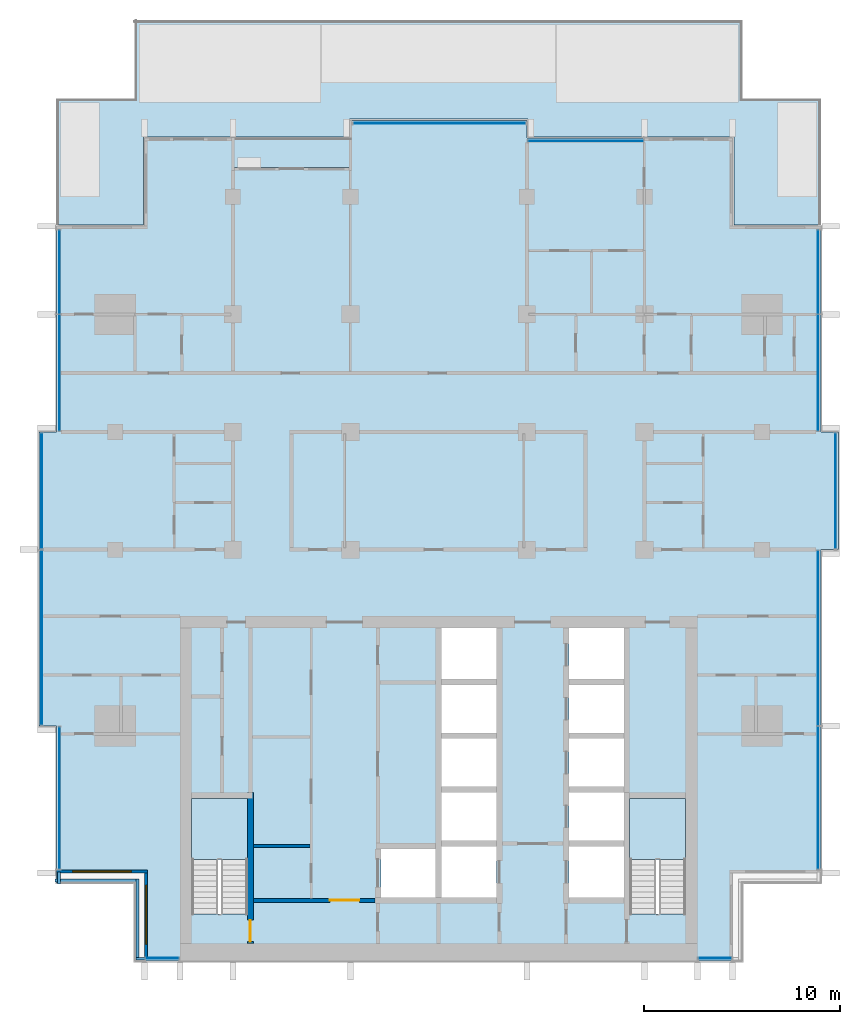
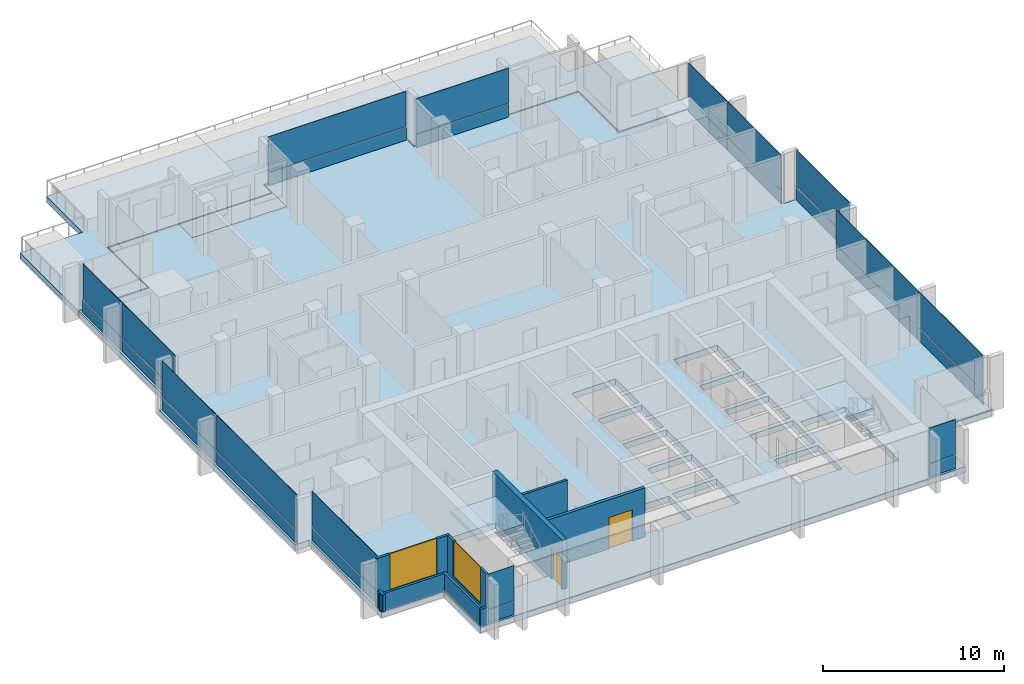
# One storey, part 6 of 17: 28 plates, 9 walls, 5 slabs, 2 doors, 2 windows, 4 openings, 13 elements without a shape of their own.
"""IFC4 building model written with IfcOpenShell, lengths in metres."""

from ifc_helpers import new_model, si_unit, direction, frame, frame_2d, origin, origin_2d, place, context, subcontext, project, spatial, polyline, rectangle, outline, extrude, material, layer, layer_set, type_object, element, fill, aggregate, save


model = new_model("IFC4")

# Units and contexts
model_context = context("Model", 3, precision=1e-05, world=origin(), true_north=direction((0.0, 1.0)))
body_context = subcontext(model_context, "Body", "Model", "MODEL_VIEW")
ifc_project = project(units=[si_unit("LENGTHUNIT", "METRE"), si_unit("AREAUNIT", "SQUARE_METRE"), si_unit("VOLUMEUNIT", "CUBIC_METRE"), si_unit("PLANEANGLEUNIT", "RADIAN"), si_unit("MASSUNIT", "GRAM", prefix="KILO")], contexts=[model_context])

# Site, building, storey
site_placement = place(None, origin())
site = spatial("IfcSite", under=ifc_project, at=site_placement, CompositionType="ELEMENT")
building_placement = place(site_placement, origin())
building = spatial("IfcBuilding", under=site, at=building_placement, Name="Finial Court Residences", CompositionType="ELEMENT")
storey_placement = place(building_placement, frame((0.0, 0.0, 205.10009765625)))
storey = spatial("IfcBuildingStorey", under=building, at=storey_placement, Name="L51", CompositionType="ELEMENT", Elevation=205.10009765625)

# Slab
ifc_material_1 = material(Name="Concrete C35/45", Category="concrete")
ifc_layer_1 = layer(ifc_material_1, 0.199951171875)
ifc_layer_set_1 = layer_set([ifc_layer_1], Name="Balcony slab, Concrete C35/45 200")
slab_type_1 = type_object("IfcSlabType", Name="Balcony slab, Concrete C35/45 200", PredefinedType="FLOOR", material=ifc_layer_set_1)
slab_1_placement = place(storey_placement, frame((0.0, 0.0, -0.2001953125)))
element("IfcSlab", 1, at=slab_1_placement, inside=storey, type_object=slab_type_1, Name="Balcony L51-N2", PredefinedType="FLOOR", context=body_context, shape_type="SweptSolid", body=[
    extrude(outline(polyline([(-4.5, 15.0), (-4.5, 16.5), (-10.5, 16.5), (-10.5, 15.0), (-4.5, 15.0)])), origin(), (0.0, 0.0, 1.0), 0.2001953125),
])

# Curtain wall, plate
ifc_material_2 = material(Name="Bronze anodised aluminium", Category="aluminium")
curtain_wall_type = type_object("IfcCurtainWallType", Name="Unitised curtain wall, upper zones", PredefinedType="NOTDEFINED", material=ifc_material_2)
curtain_wall_1_placement = place(storey_placement, origin())
curtain_wall_1 = element("IfcCurtainWall", 2, at=curtain_wall_1_placement, inside=storey, type_object=curtain_wall_type, Name="E-L51-CW-N1", PredefinedType="NOTDEFINED")
ifc_layer_2 = layer(ifc_material_2, 0.035888671875)
ifc_layer_set_2 = layer_set([ifc_layer_2], Name="CW2 spandrel panel 36")
plate_type_1 = type_object("IfcPlateType", Name="CW2 spandrel panel 36", PredefinedType="CURTAIN_PANEL", material=ifc_layer_set_2)
plate_1_placement = place(storey_placement, frame((0.03759765625, 17.25, -0.000244140625), z_axis=(0.0, 0.0, 1.0), x_axis=(1.0, 0.0, 0.0)))
plate_1 = element("IfcPlate", 3, at=plate_1_placement, type_object=plate_type_1, Name="CW2 spandrel 1.1", PredefinedType="CURTAIN_PANEL", context=body_context, shape_type="SweptSolid", body=[
    extrude(rectangle(XDim=8.804931640625, YDim=0.035888671875, at=origin_2d()), origin(), (0.0, 0.0, 1.0), 0.8701171875),
])

curtain_wall_2_placement = place(storey_placement, origin())
curtain_wall_2 = element("IfcCurtainWall", 4, at=curtain_wall_2_placement, inside=storey, type_object=curtain_wall_type, Name="E-L51-CW-N2", PredefinedType="NOTDEFINED")
plate_2_placement = place(storey_placement, frame((7.5, 16.35009765625, -0.000244140625), z_axis=(0.0, 0.0, 1.0), x_axis=(1.0, 0.0, 0.0)))
plate_2 = element("IfcPlate", 5, at=plate_2_placement, type_object=plate_type_1, Name="CW2 spandrel 1.1", PredefinedType="CURTAIN_PANEL", context=body_context, shape_type="SweptSolid", body=[
    extrude(rectangle(XDim=5.8798828125, YDim=0.035888671875, at=origin_2d()), origin(), (0.0, 0.0, 1.0), 0.8701171875),
])

# Curtain wall, plates
curtain_wall_3_placement = place(storey_placement, origin())
curtain_wall_3 = element("IfcCurtainWall", 6, at=curtain_wall_3_placement, inside=storey, type_object=curtain_wall_type, Name="E-L51-CW-E3", PredefinedType="NOTDEFINED")
plate_3_placement = place(storey_placement, frame((19.35009765625, -17.159912109375, -0.000244140625), z_axis=(0.0, 0.0, 1.0), x_axis=(0.0, 1.0, 0.0)))
plate_3 = element("IfcPlate", 7, at=plate_3_placement, type_object=plate_type_1, Name="CW2 spandrel 1.1", PredefinedType="CURTAIN_PANEL", context=body_context, shape_type="SweptSolid", body=[
    extrude(rectangle(XDim=7.260009765625, YDim=0.035888671875, at=origin_2d()), origin(), (0.0, 0.0, 1.0), 0.8701171875),
])
plate_4_placement = place(storey_placement, frame((19.35009765625, -9.014892578125, -0.000244140625), z_axis=(0.0, 0.0, 1.0), x_axis=(0.0, 1.0, 0.0)))
plate_4 = element("IfcPlate", 8, at=plate_4_placement, type_object=plate_type_1, Name="CW2 spandrel 2.1", PredefinedType="CURTAIN_PANEL", context=body_context, shape_type="SweptSolid", body=[
    extrude(rectangle(XDim=8.909912109375, YDim=0.035888671875, at=origin_2d()), origin(), (0.0, 0.0, 1.0), 0.8701171875),
])

# Curtain wall, plate
curtain_wall_4_placement = place(storey_placement, origin())
curtain_wall_4 = element("IfcCurtainWall", 9, at=curtain_wall_4_placement, inside=storey, type_object=curtain_wall_type, Name="E-L51-CW-E4", PredefinedType="NOTDEFINED")
plate_5_placement = place(storey_placement, frame((20.25, -1.5, -0.000244140625), z_axis=(0.0, 0.0, 1.0), x_axis=(0.0, 1.0, 0.0)))
plate_5 = element("IfcPlate", 10, at=plate_5_placement, type_object=plate_type_1, Name="CW2 spandrel 1.1", PredefinedType="CURTAIN_PANEL", context=body_context, shape_type="SweptSolid", body=[
    extrude(rectangle(XDim=5.8798828125, YDim=0.035888671875, at=origin_2d()), origin(), (0.0, 0.0, 1.0), 0.8701171875),
])

# Curtain wall, plates
curtain_wall_5_placement = place(storey_placement, origin())
curtain_wall_5 = element("IfcCurtainWall", 11, at=curtain_wall_5_placement, inside=storey, type_object=curtain_wall_type, Name="E-L51-CW-E5", PredefinedType="NOTDEFINED")
plate_6_placement = place(storey_placement, frame((19.35009765625, 4.514892578125, -0.000244140625), z_axis=(0.0, 0.0, 1.0), x_axis=(0.0, 1.0, 0.0)))
plate_6 = element("IfcPlate", 12, at=plate_6_placement, type_object=plate_type_1, Name="CW2 spandrel 1.1", PredefinedType="CURTAIN_PANEL", context=body_context, shape_type="SweptSolid", body=[
    extrude(rectangle(XDim=5.909912109375, YDim=0.035888671875, at=origin_2d()), origin(), (0.0, 0.0, 1.0), 0.8701171875),
])
plate_7_placement = place(storey_placement, frame((19.35009765625, 9.659912109375, -0.000244140625), z_axis=(0.0, 0.0, 1.0), x_axis=(0.0, 1.0, 0.0)))
plate_7 = element("IfcPlate", 13, at=plate_7_placement, type_object=plate_type_1, Name="CW2 spandrel 2.1", PredefinedType="CURTAIN_PANEL", context=body_context, shape_type="SweptSolid", body=[
    extrude(rectangle(XDim=4.260009765625, YDim=0.035888671875, at=origin_2d()), origin(), (0.0, 0.0, 1.0), 0.8701171875),
])

# Curtain wall, plate
curtain_wall_6_placement = place(storey_placement, origin())
curtain_wall_6 = element("IfcCurtainWall", 14, at=curtain_wall_6_placement, inside=storey, type_object=curtain_wall_type, Name="E-L51-CW-S6", PredefinedType="NOTDEFINED")
plate_8_placement = place(storey_placement, frame((-14.10009765625, -25.35009765625, -0.000244140625), z_axis=(0.0, 0.0, 1.0), x_axis=(1.0, 0.0, 0.0)))
plate_8 = element("IfcPlate", 15, at=plate_8_placement, type_object=plate_type_1, Name="CW2 spandrel 1.1", PredefinedType="CURTAIN_PANEL", context=body_context, shape_type="SweptSolid", body=[
    extrude(rectangle(XDim=1.679931640625, YDim=0.035888671875, at=origin_2d()), origin(), (0.0, 0.0, 1.0), 0.8701171875),
])

curtain_wall_7_placement = place(storey_placement, origin())
curtain_wall_7 = element("IfcCurtainWall", 16, at=curtain_wall_7_placement, inside=storey, type_object=curtain_wall_type, Name="E-L51-CW-S7", PredefinedType="NOTDEFINED")
plate_9_placement = place(storey_placement, frame((14.10009765625, -25.35009765625, -0.000244140625), z_axis=(0.0, 0.0, 1.0), x_axis=(1.0, 0.0, 0.0)))
plate_9 = element("IfcPlate", 17, at=plate_9_placement, type_object=plate_type_1, Name="CW2 spandrel 1.1", PredefinedType="CURTAIN_PANEL", context=body_context, shape_type="SweptSolid", body=[
    extrude(rectangle(XDim=1.679931640625, YDim=0.035888671875, at=origin_2d()), origin(), (0.0, 0.0, 1.0), 0.8701171875),
])

curtain_wall_8_placement = place(storey_placement, origin())
curtain_wall_8 = element("IfcCurtainWall", 18, at=curtain_wall_8_placement, inside=storey, type_object=curtain_wall_type, Name="E-L51-CW-W8", PredefinedType="NOTDEFINED")
plate_10_placement = place(storey_placement, frame((-19.35009765625, -17.175048828125, -0.000244140625), z_axis=(0.0, 0.0, 1.0), x_axis=(0.0, 1.0, 0.0)))
plate_10 = element("IfcPlate", 19, at=plate_10_placement, type_object=plate_type_1, Name="CW2 spandrel 1.1", PredefinedType="CURTAIN_PANEL", context=body_context, shape_type="SweptSolid", body=[
    extrude(rectangle(XDim=7.22998046875, YDim=0.035888671875, at=origin_2d()), origin(), (0.0, 0.0, 1.0), 0.8701171875),
])

curtain_wall_9_placement = place(storey_placement, origin())
curtain_wall_9 = element("IfcCurtainWall", 20, at=curtain_wall_9_placement, inside=storey, type_object=curtain_wall_type, Name="E-L51-CW-W9", PredefinedType="NOTDEFINED")
plate_11_placement = place(storey_placement, frame((-20.25, -9.0, -0.000244140625), z_axis=(0.0, 0.0, 1.0), x_axis=(0.0, 1.0, 0.0)))
plate_11 = element("IfcPlate", 21, at=plate_11_placement, type_object=plate_type_1, Name="CW2 spandrel 1.1", PredefinedType="CURTAIN_PANEL", context=body_context, shape_type="SweptSolid", body=[
    extrude(rectangle(XDim=8.8798828125, YDim=0.035888671875, at=origin_2d()), origin(), (0.0, 0.0, 1.0), 0.8701171875),
])

curtain_wall_10_placement = place(storey_placement, origin())
curtain_wall_10 = element("IfcCurtainWall", 22, at=curtain_wall_10_placement, inside=storey, type_object=curtain_wall_type, Name="E-L51-CW-W10", PredefinedType="NOTDEFINED")
plate_12_placement = place(storey_placement, frame((-20.25, -1.5, -0.000244140625), z_axis=(0.0, 0.0, 1.0), x_axis=(0.0, 1.0, 0.0)))
plate_12 = element("IfcPlate", 23, at=plate_12_placement, type_object=plate_type_1, Name="CW2 spandrel 1.1", PredefinedType="CURTAIN_PANEL", context=body_context, shape_type="SweptSolid", body=[
    extrude(rectangle(XDim=5.8798828125, YDim=0.035888671875, at=origin_2d()), origin(), (0.0, 0.0, 1.0), 0.8701171875),
])

# Curtain wall, plates
curtain_wall_11_placement = place(storey_placement, origin())
curtain_wall_11 = element("IfcCurtainWall", 24, at=curtain_wall_11_placement, inside=storey, type_object=curtain_wall_type, Name="E-L51-CW-W11", PredefinedType="NOTDEFINED")
plate_13_placement = place(storey_placement, frame((-19.35009765625, 4.514892578125, -0.000244140625), z_axis=(0.0, 0.0, 1.0), x_axis=(0.0, 1.0, 0.0)))
plate_13 = element("IfcPlate", 25, at=plate_13_placement, type_object=plate_type_1, Name="CW2 spandrel 1.1", PredefinedType="CURTAIN_PANEL", context=body_context, shape_type="SweptSolid", body=[
    extrude(rectangle(XDim=5.909912109375, YDim=0.035888671875, at=origin_2d()), origin(), (0.0, 0.0, 1.0), 0.8701171875),
])
plate_14_placement = place(storey_placement, frame((-19.35009765625, 9.659912109375, -0.000244140625), z_axis=(0.0, 0.0, 1.0), x_axis=(0.0, 1.0, 0.0)))
plate_14 = element("IfcPlate", 26, at=plate_14_placement, type_object=plate_type_1, Name="CW2 spandrel 2.1", PredefinedType="CURTAIN_PANEL", context=body_context, shape_type="SweptSolid", body=[
    extrude(rectangle(XDim=4.260009765625, YDim=0.035888671875, at=origin_2d()), origin(), (0.0, 0.0, 1.0), 0.8701171875),
])

# Plate
ifc_material_3 = material(Name="Clear low-e glass", Category="glass")
ifc_layer_3 = layer(ifc_material_3, 0.030029296875)
ifc_layer_set_3 = layer_set([ifc_layer_3], Name="CW2 vision glass 30")
plate_type_2 = type_object("IfcPlateType", Name="CW2 vision glass 30", PredefinedType="CURTAIN_PANEL", material=ifc_layer_set_3)
plate_15_placement = place(storey_placement, frame((0.03759765625, 17.25, 0.929931640625), z_axis=(0.0, 0.0, 1.0), x_axis=(1.0, 0.0, 0.0)))
plate_15 = element("IfcPlate", 27, at=plate_15_placement, type_object=plate_type_2, Name="CW2 glass 1.2", PredefinedType="CURTAIN_PANEL", context=body_context, shape_type="SweptSolid", body=[
    extrude(rectangle(XDim=8.804931640625, YDim=0.030029296875, at=origin_2d()), origin(), (0.0, 0.0, 1.0), 2.3701171875),
])

aggregate(curtain_wall_1, [plate_1, plate_15])

plate_16_placement = place(storey_placement, frame((7.5, 16.35009765625, 0.929931640625), z_axis=(0.0, 0.0, 1.0), x_axis=(1.0, 0.0, 0.0)))
plate_16 = element("IfcPlate", 28, at=plate_16_placement, type_object=plate_type_2, Name="CW2 glass 1.2", PredefinedType="CURTAIN_PANEL", context=body_context, shape_type="SweptSolid", body=[
    extrude(rectangle(XDim=5.8798828125, YDim=0.030029296875, at=origin_2d()), origin(), (0.0, 0.0, 1.0), 2.3701171875),
])

aggregate(curtain_wall_2, [plate_2, plate_16])

plate_17_placement = place(storey_placement, frame((19.35009765625, -17.159912109375, 0.929931640625), z_axis=(0.0, 0.0, 1.0), x_axis=(0.0, 1.0, 0.0)))
plate_17 = element("IfcPlate", 29, at=plate_17_placement, type_object=plate_type_2, Name="CW2 glass 1.2", PredefinedType="CURTAIN_PANEL", context=body_context, shape_type="SweptSolid", body=[
    extrude(rectangle(XDim=7.260009765625, YDim=0.030029296875, at=origin_2d()), origin(), (0.0, 0.0, 1.0), 2.3701171875),
])

plate_18_placement = place(storey_placement, frame((19.35009765625, -9.014892578125, 0.929931640625), z_axis=(0.0, 0.0, 1.0), x_axis=(0.0, 1.0, 0.0)))
plate_18 = element("IfcPlate", 30, at=plate_18_placement, type_object=plate_type_2, Name="CW2 glass 2.2", PredefinedType="CURTAIN_PANEL", context=body_context, shape_type="SweptSolid", body=[
    extrude(rectangle(XDim=8.909912109375, YDim=0.030029296875, at=origin_2d()), origin(), (0.0, 0.0, 1.0), 2.3701171875),
])

aggregate(curtain_wall_3, [plate_3, plate_17, plate_4, plate_18])

plate_19_placement = place(storey_placement, frame((20.25, -1.5, 0.9296875), z_axis=(0.0, 0.0, 1.0), x_axis=(0.0, 1.0, 0.0)))
plate_19 = element("IfcPlate", 31, at=plate_19_placement, type_object=plate_type_2, Name="CW2 glass 1.2", PredefinedType="CURTAIN_PANEL", context=body_context, shape_type="SweptSolid", body=[
    extrude(rectangle(XDim=5.8798828125, YDim=0.030029296875, at=origin_2d()), origin(), (0.0, 0.0, 1.0), 2.469970703125),
])

aggregate(curtain_wall_4, [plate_5, plate_19])

plate_20_placement = place(storey_placement, frame((19.35009765625, 4.514892578125, 0.929931640625), z_axis=(0.0, 0.0, 1.0), x_axis=(0.0, 1.0, 0.0)))
plate_20 = element("IfcPlate", 32, at=plate_20_placement, type_object=plate_type_2, Name="CW2 glass 1.2", PredefinedType="CURTAIN_PANEL", context=body_context, shape_type="SweptSolid", body=[
    extrude(rectangle(XDim=5.909912109375, YDim=0.030029296875, at=origin_2d()), origin(), (0.0, 0.0, 1.0), 2.3701171875),
])

plate_21_placement = place(storey_placement, frame((19.35009765625, 9.659912109375, 0.929931640625), z_axis=(0.0, 0.0, 1.0), x_axis=(0.0, 1.0, 0.0)))
plate_21 = element("IfcPlate", 33, at=plate_21_placement, type_object=plate_type_2, Name="CW2 glass 2.2", PredefinedType="CURTAIN_PANEL", context=body_context, shape_type="SweptSolid", body=[
    extrude(rectangle(XDim=4.260009765625, YDim=0.030029296875, at=origin_2d()), origin(), (0.0, 0.0, 1.0), 2.3701171875),
])

aggregate(curtain_wall_5, [plate_6, plate_20, plate_7, plate_21])

plate_22_placement = place(storey_placement, frame((-14.10009765625, -25.35009765625, 0.929931640625), z_axis=(0.0, 0.0, 1.0), x_axis=(1.0, 0.0, 0.0)))
plate_22 = element("IfcPlate", 34, at=plate_22_placement, type_object=plate_type_2, Name="CW2 glass 1.2", PredefinedType="CURTAIN_PANEL", context=body_context, shape_type="SweptSolid", body=[
    extrude(rectangle(XDim=1.679931640625, YDim=0.030029296875, at=origin_2d()), origin(), (0.0, 0.0, 1.0), 2.3701171875),
])

aggregate(curtain_wall_6, [plate_8, plate_22])

plate_23_placement = place(storey_placement, frame((14.10009765625, -25.35009765625, 0.929931640625), z_axis=(0.0, 0.0, 1.0), x_axis=(1.0, 0.0, 0.0)))
plate_23 = element("IfcPlate", 35, at=plate_23_placement, type_object=plate_type_2, Name="CW2 glass 1.2", PredefinedType="CURTAIN_PANEL", context=body_context, shape_type="SweptSolid", body=[
    extrude(rectangle(XDim=1.679931640625, YDim=0.030029296875, at=origin_2d()), origin(), (0.0, 0.0, 1.0), 2.3701171875),
])

aggregate(curtain_wall_7, [plate_9, plate_23])

plate_24_placement = place(storey_placement, frame((-19.35009765625, -17.175048828125, 0.929931640625), z_axis=(0.0, 0.0, 1.0), x_axis=(0.0, 1.0, 0.0)))
plate_24 = element("IfcPlate", 36, at=plate_24_placement, type_object=plate_type_2, Name="CW2 glass 1.2", PredefinedType="CURTAIN_PANEL", context=body_context, shape_type="SweptSolid", body=[
    extrude(rectangle(XDim=7.22998046875, YDim=0.030029296875, at=origin_2d()), origin(), (0.0, 0.0, 1.0), 2.3701171875),
])

aggregate(curtain_wall_8, [plate_10, plate_24])

plate_25_placement = place(storey_placement, frame((-20.25, -9.0, 0.929931640625), z_axis=(0.0, 0.0, 1.0), x_axis=(0.0, 1.0, 0.0)))
plate_25 = element("IfcPlate", 37, at=plate_25_placement, type_object=plate_type_2, Name="CW2 glass 1.2", PredefinedType="CURTAIN_PANEL", context=body_context, shape_type="SweptSolid", body=[
    extrude(rectangle(XDim=8.8798828125, YDim=0.030029296875, at=origin_2d()), origin(), (0.0, 0.0, 1.0), 2.3701171875),
])

aggregate(curtain_wall_9, [plate_11, plate_25])

plate_26_placement = place(storey_placement, frame((-20.25, -1.5, 0.929931640625), z_axis=(0.0, 0.0, 1.0), x_axis=(0.0, 1.0, 0.0)))
plate_26 = element("IfcPlate", 38, at=plate_26_placement, type_object=plate_type_2, Name="CW2 glass 1.2", PredefinedType="CURTAIN_PANEL", context=body_context, shape_type="SweptSolid", body=[
    extrude(rectangle(XDim=5.8798828125, YDim=0.030029296875, at=origin_2d()), origin(), (0.0, 0.0, 1.0), 2.3701171875),
])

aggregate(curtain_wall_10, [plate_12, plate_26])

plate_27_placement = place(storey_placement, frame((-19.35009765625, 4.514892578125, 0.929931640625), z_axis=(0.0, 0.0, 1.0), x_axis=(0.0, 1.0, 0.0)))
plate_27 = element("IfcPlate", 39, at=plate_27_placement, type_object=plate_type_2, Name="CW2 glass 1.2", PredefinedType="CURTAIN_PANEL", context=body_context, shape_type="SweptSolid", body=[
    extrude(rectangle(XDim=5.909912109375, YDim=0.030029296875, at=origin_2d()), origin(), (0.0, 0.0, 1.0), 2.3701171875),
])

plate_28_placement = place(storey_placement, frame((-19.35009765625, 9.659912109375, 0.929931640625), z_axis=(0.0, 0.0, 1.0), x_axis=(0.0, 1.0, 0.0)))
plate_28 = element("IfcPlate", 40, at=plate_28_placement, type_object=plate_type_2, Name="CW2 glass 2.2", PredefinedType="CURTAIN_PANEL", context=body_context, shape_type="SweptSolid", body=[
    extrude(rectangle(XDim=4.260009765625, YDim=0.030029296875, at=origin_2d()), origin(), (0.0, 0.0, 1.0), 2.3701171875),
])

aggregate(curtain_wall_11, [plate_13, plate_27, plate_14, plate_28])

# Stair, slab
ifc_material_4 = material(Name="Concrete C50/60", Category="concrete")
stair_type = type_object("IfcStairType", Name="Exit stair 22 risers of 163.6 mm", PredefinedType="HALF_TURN_STAIR", material=ifc_material_4)
stair_1_placement = place(storey_placement, origin())
stair_1 = element("IfcStair", 41, at=stair_1_placement, inside=storey, type_object=stair_type, Name="L51 Exit stair ST-1", PredefinedType="HALF_TURN_STAIR")
ifc_layer_4 = layer(ifc_material_4, 0.199951171875)
ifc_layer_set_4 = layer_set([ifc_layer_4], Name="Exit stair landing")
slab_type_2 = type_object("IfcSlabType", Name="Exit stair landing", PredefinedType="LANDING", material=ifc_layer_set_4)
slab_2_placement = place(storey_placement, frame((0.0, 0.0, 1.599853515625)))
slab_2 = element("IfcSlab", 42, at=slab_2_placement, type_object=slab_type_2, Name="ST-1 landing 1", PredefinedType="LANDING", context=body_context, shape_type="SweptSolid", body=[
    extrude(outline(polyline([(-9.75, -20.300048828125), (-9.75, -17.199951171875), (-12.60009765625, -17.199951171875), (-12.60009765625, -20.300048828125), (-9.75, -20.300048828125)])), origin(), (0.0, 0.0, 1.0), 0.199951171875),
])
aggregate(stair_1, [slab_2])

stair_2_placement = place(storey_placement, origin())
stair_2 = element("IfcStair", 43, at=stair_2_placement, inside=storey, type_object=stair_type, Name="L51 Exit stair ST-2", PredefinedType="HALF_TURN_STAIR")
slab_3_placement = place(storey_placement, frame((0.0, 0.0, 1.599853515625)))
slab_3 = element("IfcSlab", 44, at=slab_3_placement, type_object=slab_type_2, Name="ST-2 landing 1", PredefinedType="LANDING", context=body_context, shape_type="SweptSolid", body=[
    extrude(outline(polyline([(12.60009765625, -20.300048828125), (12.60009765625, -17.199951171875), (9.75, -17.199951171875), (9.75, -20.300048828125), (12.60009765625, -20.300048828125)])), origin(), (0.0, 0.0, 1.0), 0.199951171875),
])
aggregate(stair_2, [slab_3])

# Slabs
ifc_material_5 = material(Name="Concrete C40/50", Category="concrete")
ifc_layer_5 = layer(ifc_material_5, 0.39990234375)
ifc_layer_set_5 = layer_set([ifc_layer_5], Name="Flat plate slab 400 Concrete C40/50")
slab_type_3 = type_object("IfcSlabType", Name="Flat plate slab 400 Concrete C40/50", PredefinedType="FLOOR", material=ifc_layer_set_5)
slab_4_placement = place(storey_placement, frame((0.0, 0.0, -0.400146484375)))
element("IfcSlab", 45, at=slab_4_placement, inside=storey, type_object=slab_type_3, Name="S:SLAB:L51", PredefinedType="FLOOR", context=body_context, shape_type="SweptSolid", body=[
    extrude(outline(polyline([(-15.5, -25.5), (-15.5, -21.5), (-19.5, -21.5), (-19.5, -21.0), (-19.5, -13.5), (-20.39990234375, -13.5), (-20.39990234375, -4.5), (-20.39990234375, 1.5), (-19.5, 1.5), (-19.5, 12.0), (-15.0, 12.0), (-15.0, 16.5), (-10.5, 16.5), (-10.5, 15.0), (-4.5, 15.0), (-4.5, 16.5), (-4.5, 17.39990234375), (4.5, 17.39990234375), (4.5, 16.5), (15.0, 16.5), (15.0, 12.0), (19.5, 12.0), (19.5, 1.5), (20.39990234375, 1.5), (20.39990234375, -4.5), (19.5, -4.5), (19.5, -21.0), (19.5, -21.5), (15.5, -21.5), (15.5, -25.5), (15.0, -25.5), (-15.0, -25.5), (-15.5, -25.5)]), holes=[polyline([(-0.14990234375, -19.77001953125), (-2.949951171875, -19.77001953125), (-2.949951171875, -22.25), (-0.14990234375, -22.25), (-0.14990234375, -19.77001953125)]), polyline([(2.949951171875, -22.25), (2.949951171875, -19.64990234375), (0.14990234375, -19.64990234375), (0.14990234375, -22.25), (2.949951171875, -22.25)]), polyline([(-9.75, -17.199951171875), (-12.60009765625, -17.199951171875), (-12.60009765625, -23.09912109375), (-9.75, -23.09912109375), (-9.75, -17.199951171875)]), polyline([(2.949951171875, -16.89990234375), (0.14990234375, -16.89990234375), (0.14990234375, -19.35009765625), (2.949951171875, -19.35009765625), (2.949951171875, -16.89990234375)]), polyline([(2.949951171875, -16.60009765625), (2.949951171875, -14.14990234375), (0.14990234375, -14.14990234375), (0.14990234375, -16.60009765625), (2.949951171875, -16.60009765625)]), polyline([(2.949951171875, -13.85009765625), (2.949951171875, -11.39990234375), (0.14990234375, -11.39990234375), (0.14990234375, -13.85009765625), (2.949951171875, -13.85009765625)]), polyline([(2.949951171875, -8.5), (0.14990234375, -8.5), (0.14990234375, -11.10009765625), (2.949951171875, -11.10009765625), (2.949951171875, -8.5)]), polyline([(9.449951171875, -22.25), (9.449951171875, -19.64990234375), (6.64990234375, -19.64990234375), (6.64990234375, -22.25), (9.449951171875, -22.25)]), polyline([(12.60009765625, -17.199951171875), (9.75, -17.199951171875), (9.75, -23.09912109375), (12.60009765625, -23.09912109375), (12.60009765625, -17.199951171875)]), polyline([(9.449951171875, -19.35009765625), (9.449951171875, -16.89990234375), (6.64990234375, -16.89990234375), (6.64990234375, -19.35009765625), (9.449951171875, -19.35009765625)]), polyline([(9.449951171875, -16.60009765625), (9.449951171875, -14.14990234375), (6.64990234375, -14.14990234375), (6.64990234375, -16.60009765625), (9.449951171875, -16.60009765625)]), polyline([(9.449951171875, -13.85009765625), (9.449951171875, -11.39990234375), (6.64990234375, -11.39990234375), (6.64990234375, -13.85009765625), (9.449951171875, -13.85009765625)]), polyline([(9.449951171875, -11.10009765625), (9.449951171875, -8.5), (6.64990234375, -8.5), (6.64990234375, -11.10009765625), (9.449951171875, -11.10009765625)])]), origin(), (0.0, 0.0, 1.0), 0.400146484375),
])
ifc_layer_6 = layer(ifc_material_5, 0.39990234375)
ifc_layer_set_6 = layer_set([ifc_layer_6], Name="Terrace slab, Concrete C40/50 400")
slab_type_4 = type_object("IfcSlabType", Name="Terrace slab, Concrete C40/50 400", PredefinedType="FLOOR", material=ifc_layer_set_6)
slab_5_placement = place(storey_placement, frame((0.0, 0.0, -0.400146484375)))
element("IfcSlab", 46, at=slab_5_placement, inside=storey, type_object=slab_type_4, Name="Terrace L51 1", PredefinedType="FLOOR", context=body_context, shape_type="SweptSolid", body=[
    extrude(outline(polyline([(-15.5, 22.5), (15.5, 22.5), (15.5, 18.5), (19.5, 18.5), (19.5, 12.06005859375), (15.06005859375, 12.06005859375), (15.06005859375, 16.56005859375), (4.56005859375, 16.56005859375), (4.56005859375, 17.4599609375), (-4.56005859375, 17.4599609375), (-4.56005859375, 16.56005859375), (-15.06005859375, 16.56005859375), (-15.06005859375, 12.06005859375), (-19.5, 12.06005859375), (-19.5, 18.5), (-15.5, 18.5), (-15.5, 22.5)])), origin(), (0.0, 0.0, 1.0), 0.400146484375),
])

# Walls
ifc_material_6 = material(Name="Fire-rated gypsum board partition")
ifc_layer_7 = layer(ifc_material_6, 0.14990234375)
ifc_layer_set_7 = layer_set([ifc_layer_7], Name="Core room partition 150 EI 60")
wall_type_1 = type_object("IfcWallType", Name="Core room partition 150 EI 60", PredefinedType="PARTITIONING", material=ifc_layer_set_7)
wall_1_placement = place(storey_placement, frame((-9.449951171875, -19.6201171875, 0.0), z_axis=(0.0, 0.0, 1.0), x_axis=(1.0, 0.0, 0.0)))
element("IfcWall", 47, at=wall_1_placement, inside=storey, type_object=wall_type_1, Name="Core partition L51-04", PredefinedType="PARTITIONING", context=body_context, shape_type="SweptSolid", body=[
    extrude(rectangle(XDim=2.875, YDim=0.14990234375, at=frame_2d((1.4375, 0.0))), origin(), (0.0, 0.0, 1.0), 3.2998046875),
])
ifc_layer_8 = layer(ifc_material_1, 0.14990234375)
ifc_layer_set_8 = layer_set([ifc_layer_8], Name="Ledge parapet, Concrete C35/45 150")
wall_type_2 = type_object("IfcWallType", Name="Ledge parapet, Concrete C35/45 150", PredefinedType="PARAPET", material=ifc_layer_set_8)
wall_2_placement = place(storey_placement, frame((-19.375, -21.5625, 0.0), z_axis=(0.0, 0.0, 1.0), x_axis=(0.0, 1.0, 0.0)))
element("IfcWall", 48, at=wall_2_placement, inside=storey, type_object=wall_type_2, Name="E-L51-LED2-P1", PredefinedType="PARAPET", context=body_context, shape_type="SweptSolid", body=[
    extrude(rectangle(XDim=0.614990234375, YDim=0.14990234375, at=frame_2d((0.3076171875, 0.0))), origin(), (0.0, 0.0, 1.0), 1.14990234375),
])
wall_3_placement = place(storey_placement, frame((-14.947509765625, -25.375, 0.0), z_axis=(0.0, 0.0, 1.0), x_axis=(-1.0, 0.0, 0.0)))
element("IfcWall", 49, at=wall_3_placement, inside=storey, type_object=wall_type_2, Name="E-L51-LED2-P2", PredefinedType="PARAPET", context=body_context, shape_type="SweptSolid", body=[
    extrude(rectangle(XDim=0.50244140625, YDim=0.14990234375, at=frame_2d((0.251220703125, 0.0))), origin(), (0.0, 0.0, 1.0), 1.14990234375),
])
wall_4_placement = place(storey_placement, frame((-15.375, -25.300048828125, 0.0), z_axis=(0.0, 0.0, 1.0), x_axis=(0.0, 1.0, 0.0)))
element("IfcWall", 50, at=wall_4_placement, inside=storey, type_object=wall_type_2, Name="E-L51-LED2-P3", PredefinedType="PARAPET", context=body_context, shape_type="SweptSolid", body=[
    extrude(rectangle(XDim=4.0, YDim=0.14990234375, at=frame_2d((2.0, 0.0))), origin(), (0.0, 0.0, 1.0), 1.14990234375),
])
wall_5_placement = place(storey_placement, frame((-15.449951171875, -21.375, 0.0), z_axis=(0.0, 0.0, 1.0), x_axis=(-1.0, 0.0, 0.0)))
element("IfcWall", 51, at=wall_5_placement, inside=storey, type_object=wall_type_2, Name="E-L51-LED2-P4", PredefinedType="PARAPET", context=body_context, shape_type="SweptSolid", body=[
    extrude(rectangle(XDim=4.112548828125, YDim=0.14990234375, at=frame_2d((2.05615234375, 0.0))), origin(), (0.0, 0.0, 1.0), 1.14990234375),
])

# Wall, opening, door
ifc_material_7 = material(Name="Concrete C60/75", Category="concrete")
ifc_layer_9 = layer(ifc_material_7, 0.300048828125)
ifc_layer_set_9 = layer_set([ifc_layer_9], Name="Lift shaft and stair wall 300 Concrete C60/75")
wall_type_3 = type_object("IfcWallType", Name="Lift shaft and stair wall 300 Concrete C60/75", PredefinedType="SHEAR", material=ifc_layer_set_9)
wall_6_placement = place(storey_placement, frame((-9.60009765625, -24.60009765625, 0.0), z_axis=(0.0, 0.0, 1.0), x_axis=(0.0, 1.0, 0.0)))
wall_6 = element("IfcWall", 52, at=wall_6_placement, inside=storey, type_object=wall_type_3, Name="Core wall L51-22", PredefinedType="SHEAR", context=body_context, shape_type="SweptSolid", body=[
    extrude(rectangle(XDim=7.7001953125, YDim=0.300048828125, at=frame_2d((3.85009765625, 0.0))), origin(), (0.0, 0.0, 1.0), 3.2998046875),
])
opening_1_placement = place(wall_6_placement, frame((0.10009765625, 0.0, 0.0)))
opening_1 = element("IfcOpeningElement", 53, at=opening_1_placement, cuts=wall_6, Name="Opening L51-C17", PredefinedType="OPENING", context=body_context, shape_type="SweptSolid", body=[
    extrude(rectangle(XDim=1.10009765625, YDim=2.10009765625, at=frame_2d((0.550048828125, 1.050048828125))), frame((0.0, 0.159912109375, 0.0), z_axis=(0.0, -1.0, 0.0), x_axis=(1.0, 0.0, 0.0)), (0.0, 0.0, 1.0), 0.320068359375),
])
ifc_material_8 = material(Name="Steel fire door", Category="steel")
door_type_1 = type_object("IfcDoorType", Name="Stair door 1100 x 2100 EI 90", OperationType="NOTDEFINED", PredefinedType="DOOR", material=ifc_material_8)
door_1_placement = place(opening_1_placement, origin())
door_1 = element("IfcDoor", 54, at=door_1_placement, inside=storey, type_object=door_type_1, Name="Stair door L51-C17", OperationType="SINGLE_SWING_LEFT", OverallHeight=2.10009765625, OverallWidth=1.10009765625, PredefinedType="DOOR", context=body_context, shape_type="SweptSolid", body=[
    extrude(rectangle(XDim=1.10009765625, YDim=2.10009765625, at=frame_2d((0.550048828125, 1.050048828125))), frame((0.0, 0.02490234375, 0.0), z_axis=(0.0, -1.0, 0.0), x_axis=(1.0, 0.0, 0.0)), (0.0, 0.0, 1.0), 0.050048828125),
])
fill(opening_1, door_1)

# Wall, opening, window
ifc_material_9 = material(Name="Natural limestone", Category="masonry")
ifc_layer_10 = layer(ifc_material_9, 0.14990234375)
ifc_layer_set_10 = layer_set([ifc_layer_10], Name="Limestone clad wall 150")
wall_type_4 = type_object("IfcWallType", Name="Limestone clad wall 150", PredefinedType="SOLIDWALL", material=ifc_layer_set_10)
wall_7_placement = place(storey_placement, frame((-14.925048828125, -25.262451171875, 0.0), z_axis=(0.0, 0.0, 1.0), x_axis=(0.0, 1.0, 0.0)))
wall_7 = element("IfcWall", 55, at=wall_7_placement, inside=storey, type_object=wall_type_4, Name="E-L51-NWW12", PredefinedType="SOLIDWALL", context=body_context, shape_type="SweptSolid", body=[
    extrude(rectangle(XDim=4.262451171875, YDim=0.14990234375, at=frame_2d((2.13134765625, 0.0))), origin(), (0.0, 0.0, 1.0), 3.2998046875),
])
opening_2_placement = place(wall_7_placement, frame((0.631103515625, 0.0, 0.89990234375)))
opening_2 = element("IfcOpeningElement", 56, at=opening_2_placement, cuts=wall_7, Name="Opening WE51-01", PredefinedType="OPENING", context=body_context, shape_type="SweptSolid", body=[
    extrude(rectangle(XDim=3.0, YDim=2.39990234375, at=frame_2d((1.5, 1.199951171875))), frame((0.0, 0.0849609375, 0.0), z_axis=(0.0, -1.0, 0.0), x_axis=(1.0, 0.0, 0.0)), (0.0, 0.0, 1.0), 0.169921875),
])
window_type = type_object("IfcWindowType", Name="Corner window 3000 x 2400", PartitioningType="SINGLE_PANEL", PredefinedType="WINDOW", material=ifc_material_3)
window_1_placement = place(opening_2_placement, origin())
window_1 = element("IfcWindow", 57, at=window_1_placement, inside=storey, type_object=window_type, Name="E-L51-NWW12-W1", OverallHeight=2.39990234375, OverallWidth=3.0, PartitioningType="SINGLE_PANEL", PredefinedType="WINDOW", context=body_context, shape_type="SweptSolid", body=[
    extrude(rectangle(XDim=3.0, YDim=2.39990234375, at=frame_2d((1.5, 1.199951171875))), frame((0.0, 0.030029296875, 0.0), z_axis=(0.0, -1.0, 0.0), x_axis=(1.0, 0.0, 0.0)), (0.0, 0.0, 1.0), 0.06005859375),
])
fill(opening_2, window_1)

wall_8_placement = place(storey_placement, frame((-14.85009765625, -20.925048828125, 0.0), z_axis=(0.0, 0.0, 1.0), x_axis=(-1.0, 0.0, 0.0)))
wall_8 = element("IfcWall", 58, at=wall_8_placement, inside=storey, type_object=wall_type_4, Name="E-L51-NWS13", PredefinedType="SOLIDWALL", context=body_context, shape_type="SweptSolid", body=[
    extrude(rectangle(XDim=4.64990234375, YDim=0.14990234375, at=frame_2d((2.324951171875, 0.0))), origin(), (0.0, 0.0, 1.0), 3.2998046875),
])
opening_3_placement = place(wall_8_placement, frame((0.824951171875, 0.0, 0.89990234375)))
opening_3 = element("IfcOpeningElement", 59, at=opening_3_placement, cuts=wall_8, Name="Opening WE51-02", PredefinedType="OPENING", context=body_context, shape_type="SweptSolid", body=[
    extrude(rectangle(XDim=3.0, YDim=2.39990234375, at=frame_2d((1.5, 1.199951171875))), frame((0.0, 0.0849609375, 0.0), z_axis=(0.0, -1.0, 0.0), x_axis=(1.0, 0.0, 0.0)), (0.0, 0.0, 1.0), 0.169921875),
])
window_2_placement = place(opening_3_placement, origin())
window_2 = element("IfcWindow", 60, at=window_2_placement, inside=storey, type_object=window_type, Name="E-L51-NWS13-W1", OverallHeight=2.39990234375, OverallWidth=3.0, PartitioningType="SINGLE_PANEL", PredefinedType="WINDOW", context=body_context, shape_type="SweptSolid", body=[
    extrude(rectangle(XDim=3.0, YDim=2.39990234375, at=frame_2d((1.5, 1.199951171875))), frame((0.0, 0.030029296875, 0.0), z_axis=(0.0, -1.0, 0.0), x_axis=(1.0, 0.0, 0.0)), (0.0, 0.0, 1.0), 0.06005859375),
])
fill(opening_3, window_2)

# Wall, opening, door
ifc_layer_11 = layer(ifc_material_6, 0.199951171875)
ifc_layer_set_11 = layer_set([ifc_layer_11], Name="Stair passage wall 200 EI 180")
wall_type_5 = type_object("IfcWallType", Name="Stair passage wall 200 EI 180", PredefinedType="PARTITIONING", material=ifc_layer_set_11)
wall_9_placement = place(storey_placement, frame((-3.25, -22.39990234375, 0.0), z_axis=(0.0, 0.0, 1.0), x_axis=(-1.0, 0.0, 0.0)))
wall_9 = element("IfcWall", 61, at=wall_9_placement, inside=storey, type_object=wall_type_5, Name="Core partition L51-01", PredefinedType="PARTITIONING", context=body_context, shape_type="SweptSolid", body=[
    extrude(rectangle(XDim=6.199951171875, YDim=0.199951171875, at=frame_2d((3.10009765625, 0.0))), origin(), (0.0, 0.0, 1.0), 3.2998046875),
])
opening_4_placement = place(wall_9_placement, frame((0.800048828125, 0.0, 0.0)))
opening_4 = element("IfcOpeningElement", 62, at=opening_4_placement, cuts=wall_9, Name="Opening L51-C03", PredefinedType="OPENING", context=body_context, shape_type="SweptSolid", body=[
    extrude(rectangle(XDim=1.5, YDim=2.10009765625, at=frame_2d((0.75, 1.050048828125))), frame((0.0, 0.10986328125, 0.0), z_axis=(0.0, -1.0, 0.0), x_axis=(1.0, 0.0, 0.0)), (0.0, 0.0, 1.0), 0.219970703125),
])
door_type_2 = type_object("IfcDoorType", Name="Lift lobby door 1500 x 2100 EI 60", OperationType="DOUBLE_DOOR_SINGLE_SWING", PredefinedType="DOOR", material=ifc_material_8)
door_2_placement = place(opening_4_placement, origin())
door_2 = element("IfcDoor", 63, at=door_2_placement, inside=storey, type_object=door_type_2, Name="Lift lobby door L51-C03", OperationType="DOUBLE_DOOR_SINGLE_SWING", OverallHeight=2.10009765625, OverallWidth=1.5, PredefinedType="DOOR", context=body_context, shape_type="SweptSolid", body=[
    extrude(rectangle(XDim=1.5, YDim=2.10009765625, at=frame_2d((0.75, 1.050048828125))), frame((0.0, 0.02490234375, 0.0), z_axis=(0.0, -1.0, 0.0), x_axis=(1.0, 0.0, 0.0)), (0.0, 0.0, 1.0), 0.050048828125),
])
fill(opening_4, door_2)

save(model, "model.ifc")
